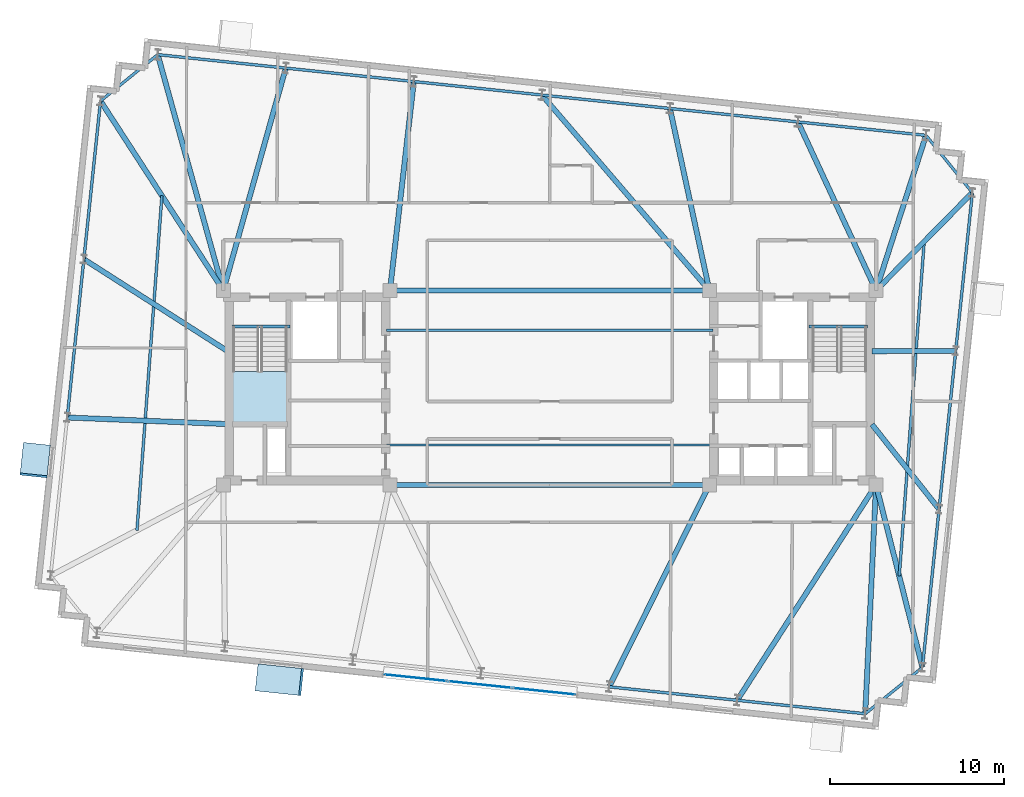
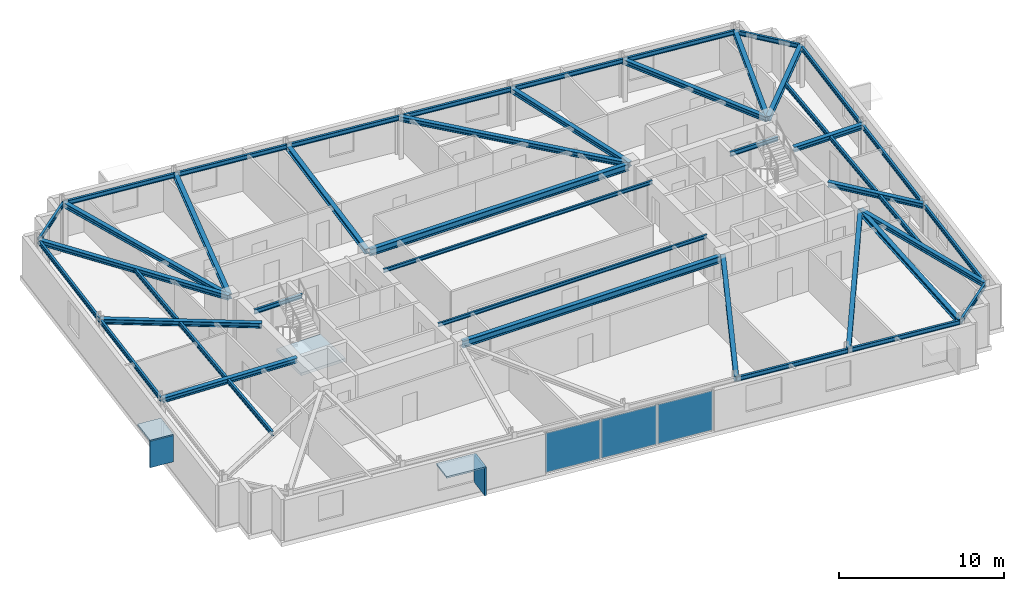
# One storey, part 6 of 13: 41 beams, 7 plates, 1 slab, 2 elements without a shape of their own.
"""IFC4 building model written with IfcOpenShell, lengths in metres."""

from ifc_helpers import new_model, si_unit, direction, frame, origin, origin_2d, place, context, subcontext, project, spatial, polyline, rectangle, i_section, outline, extrude, material, layer, layer_set, material_profile, profile_set, type_object, element, aggregate, save


model = new_model("IFC4")

# Units and contexts
model_context = context("Model", 3, precision=1e-05, world=origin(), true_north=direction((0.0, 1.0)))
body_context = subcontext(model_context, "Body", "Model", "MODEL_VIEW")
ifc_project = project(units=[si_unit("LENGTHUNIT", "METRE"), si_unit("AREAUNIT", "SQUARE_METRE"), si_unit("VOLUMEUNIT", "CUBIC_METRE"), si_unit("PLANEANGLEUNIT", "RADIAN"), si_unit("MASSUNIT", "GRAM", prefix="KILO")], contexts=[model_context])

# Site, building, storey
site_placement = place(None, origin())
site = spatial("IfcSite", under=ifc_project, at=site_placement, CompositionType="ELEMENT")
building_placement = place(site_placement, origin())
building = spatial("IfcBuilding", under=site, at=building_placement, Name="Qobustan Lattice House", CompositionType="ELEMENT")
storey_placement = place(building_placement, frame((0.0, 0.0, 196.39990234375)))
storey = spatial("IfcBuildingStorey", under=building, at=storey_placement, Name="L55", CompositionType="ELEMENT", Elevation=196.39990234375)

# Beams
ifc_material_1 = material(Name="Steel S355", Category="steel")
ifc_material_profile_1 = material_profile(ifc_material_1, i_section(OverallWidth=0.300048828125, OverallDepth=0.5, WebThickness=0.014404296875, FlangeThickness=0.028076171875, FilletRadius=0.027099609375, at=origin_2d()), Name="HEB500")
ifc_profile_set_1 = profile_set([ifc_material_profile_1], Name="Steel S355")
beam_type_1 = type_object("IfcBeamType", Name="BM-CG-HEB500", PredefinedType="USERDEFINED", material=ifc_profile_set_1)
for number, where, z_axis, x_axis, name in (
    (1, (-9.050048828125, -5.60009765625, 2.7900390625), (1.0, 0.0, 0.0), (0.0, 1.0, 0.0), "L55 core spine girder CG-CS"),
    (2, (-9.050048828125, 5.60009765625, 2.7900390625), (1.0, 0.0, 0.0), (0.0, 1.0, 0.0), "L55 core spine girder CG-CN"),
):
    element("IfcBeam", number, at=place(storey_placement, frame(where, z_axis=z_axis, x_axis=x_axis)), inside=storey, type_object=beam_type_1, Name=name, ObjectType="GIRDER", PredefinedType="USERDEFINED", context=body_context, shape_type="SweptSolid", body=[
        extrude(i_section(OverallWidth=0.300048828125, OverallDepth=0.5, WebThickness=0.014404296875, FlangeThickness=0.028076171875, FilletRadius=0.027099609375, at=origin_2d()), origin(), (0.0, 0.0, 1.0), 18.10009765625),
    ])
ifc_material_2 = material(Name="Steel S355", Category="steel")
ifc_material_profile_2 = material_profile(ifc_material_2, i_section(OverallWidth=0.300048828125, OverallDepth=0.360107421875, WebThickness=0.012451171875, FlangeThickness=0.0224609375, FilletRadius=0.027099609375, at=origin_2d()), Name="HEB360")
ifc_profile_set_2 = profile_set([ifc_material_profile_2], Name="Steel S355")
beam_type_2 = type_object("IfcBeamType", Name="BM-FLG-HEB360", PredefinedType="USERDEFINED", material=ifc_profile_set_2)
beam_1_placement = place(storey_placement, frame((3.436279296875, -17.211181640625, 2.860107421875), z_axis=(0.444630337125, 0.895714163843, 0.0), x_axis=(-0.895714163843, 0.444630337125, 0.0)))
element("IfcBeam", 3, at=beam_1_placement, inside=storey, type_object=beam_type_2, Name="L55 primary floor girder RAD-S5", ObjectType="GIRDER", PredefinedType="USERDEFINED", context=body_context, shape_type="SweptSolid", body=[
    extrude(i_section(OverallWidth=0.300048828125, OverallDepth=0.360107421875, WebThickness=0.012451171875, FlangeThickness=0.0224609375, FilletRadius=0.027099609375, at=origin_2d()), origin(), (0.0, 0.0, 1.0), 12.938232421875),
])
beam_2_placement = place(storey_placement, frame((10.814697265625, -17.98779296875, 2.860107421875), z_axis=(0.541810491961, 0.840500678644, 0.0), x_axis=(-0.840500678644, 0.541810491961, 0.0)))
element("IfcBeam", 4, at=beam_2_placement, inside=storey, type_object=beam_type_2, Name="L55 primary floor girder RAD-S6", ObjectType="GIRDER", PredefinedType="USERDEFINED", context=body_context, shape_type="SweptSolid", body=[
    extrude(i_section(OverallWidth=0.300048828125, OverallDepth=0.360107421875, WebThickness=0.012451171875, FlangeThickness=0.0224609375, FilletRadius=0.027099609375, at=origin_2d()), origin(), (0.0, 0.0, 1.0), 14.71337890625),
])
beam_3_placement = place(storey_placement, frame((18.178466796875, -18.759033203125, 2.860107421875), z_axis=(0.047180517312, 0.998886379318, 0.0), x_axis=(-0.998886379318, 0.047180517312, 0.0)))
element("IfcBeam", 5, at=beam_3_placement, inside=storey, type_object=beam_type_2, Name="L55 primary floor girder RAD-S7E", ObjectType="GIRDER", PredefinedType="USERDEFINED", context=body_context, shape_type="SweptSolid", body=[
    extrude(i_section(OverallWidth=0.300048828125, OverallDepth=0.360107421875, WebThickness=0.012451171875, FlangeThickness=0.0224609375, FilletRadius=0.027099609375, at=origin_2d()), origin(), (0.0, 0.0, 1.0), 13.148681640625),
])
beam_4_placement = place(storey_placement, frame((-22.570556640625, 19.159912109375, 2.860107421875), z_axis=(0.267904661715, -0.963445427739, 0.0), x_axis=(0.963445427739, 0.267904661715, 0.0)))
element("IfcBeam", 6, at=beam_4_placement, inside=storey, type_object=beam_type_2, Name="L55 primary floor girder RAD-N7W", ObjectType="GIRDER", PredefinedType="USERDEFINED", context=body_context, shape_type="SweptSolid", body=[
    extrude(i_section(OverallWidth=0.300048828125, OverallDepth=0.360107421875, WebThickness=0.012451171875, FlangeThickness=0.0224609375, FilletRadius=0.027099609375, at=origin_2d()), origin(), (0.0, 0.0, 1.0), 14.049560546875),
])
beam_5_placement = place(storey_placement, frame((-15.2080078125, 18.384521484375, 2.860107421875), z_axis=(-0.270487929903, -0.962723366174, 0.0), x_axis=(0.962723366174, -0.270487929903, 0.0)))
element("IfcBeam", 7, at=beam_5_placement, inside=storey, type_object=beam_type_2, Name="L55 primary floor girder RAD-N6", ObjectType="GIRDER", PredefinedType="USERDEFINED", context=body_context, shape_type="SweptSolid", body=[
    extrude(i_section(OverallWidth=0.300048828125, OverallDepth=0.360107421875, WebThickness=0.012451171875, FlangeThickness=0.0224609375, FilletRadius=0.027099609375, at=origin_2d()), origin(), (0.0, 0.0, 1.0), 13.254638671875),
])
beam_6_placement = place(storey_placement, frame((-7.827880859375, 17.608642578125, 2.860107421875), z_axis=(-0.11353003651, -0.993534564477, 0.0), x_axis=(0.993534564477, -0.11353003651, 0.0)))
element("IfcBeam", 8, at=beam_6_placement, inside=storey, type_object=beam_type_2, Name="L55 primary floor girder RAD-N5", ObjectType="GIRDER", PredefinedType="USERDEFINED", context=body_context, shape_type="SweptSolid", body=[
    extrude(i_section(OverallWidth=0.300048828125, OverallDepth=0.360107421875, WebThickness=0.012451171875, FlangeThickness=0.0224609375, FilletRadius=0.027099609375, at=origin_2d()), origin(), (0.0, 0.0, 1.0), 12.061767578125),
])
beam_7_placement = place(storey_placement, frame((-0.432861328125, 16.839111328125, 2.860107421875), z_axis=(0.650757358368, -0.759285756833, 0.0), x_axis=(0.759285756833, 0.650757358368, 0.0)))
element("IfcBeam", 9, at=beam_7_placement, inside=storey, type_object=beam_type_2, Name="L55 primary floor girder RAD-N4", ObjectType="GIRDER", PredefinedType="USERDEFINED", context=body_context, shape_type="SweptSolid", body=[
    extrude(i_section(OverallWidth=0.300048828125, OverallDepth=0.360107421875, WebThickness=0.012451171875, FlangeThickness=0.0224609375, FilletRadius=0.027099609375, at=origin_2d()), origin(), (0.0, 0.0, 1.0), 14.77734375),
])
beam_8_placement = place(storey_placement, frame((6.93212890625, 16.05859375, 2.860107421875), z_axis=(0.211908420044, -0.977289527988, 0.0), x_axis=(0.977289527988, 0.211908420044, 0.0)))
element("IfcBeam", 10, at=beam_8_placement, inside=storey, type_object=beam_type_2, Name="L55 primary floor girder RAD-N3", ObjectType="GIRDER", PredefinedType="USERDEFINED", context=body_context, shape_type="SweptSolid", body=[
    extrude(i_section(OverallWidth=0.300048828125, OverallDepth=0.360107421875, WebThickness=0.012451171875, FlangeThickness=0.0224609375, FilletRadius=0.027099609375, at=origin_2d()), origin(), (0.0, 0.0, 1.0), 10.676513671875),
])
beam_9_placement = place(storey_placement, frame((14.3134765625, 15.284912109375, 2.860107421875), z_axis=(0.420345924661, -0.907363931188, 0.0), x_axis=(0.907363931188, 0.420345924661, 0.0)))
element("IfcBeam", 11, at=beam_9_placement, inside=storey, type_object=beam_type_2, Name="L55 primary floor girder RAD-N2", ObjectType="GIRDER", PredefinedType="USERDEFINED", context=body_context, shape_type="SweptSolid", body=[
    extrude(i_section(OverallWidth=0.300048828125, OverallDepth=0.360107421875, WebThickness=0.012451171875, FlangeThickness=0.0224609375, FilletRadius=0.027099609375, at=origin_2d()), origin(), (0.0, 0.0, 1.0), 10.6484375),
])
beam_10_placement = place(storey_placement, frame((21.67138671875, 14.5087890625, 2.860107421875), z_axis=(-0.306773532579, -0.951782538035, 0.0), x_axis=(0.951782538035, -0.306773532579, 0.0)))
element("IfcBeam", 12, at=beam_10_placement, inside=storey, type_object=beam_type_2, Name="L55 primary floor girder RAD-N1E", ObjectType="GIRDER", PredefinedType="USERDEFINED", context=body_context, shape_type="SweptSolid", body=[
    extrude(i_section(OverallWidth=0.300048828125, OverallDepth=0.360107421875, WebThickness=0.012451171875, FlangeThickness=0.0224609375, FilletRadius=0.027099609375, at=origin_2d()), origin(), (0.0, 0.0, 1.0), 9.335205078125),
])
beam_11_placement = place(storey_placement, frame((-25.86083984375, 16.492919921875, 2.860107421875), z_axis=(0.543926170046, -0.839133077371, 0.0), x_axis=(0.839133077371, 0.543926170046, 0.0)))
element("IfcBeam", 13, at=beam_11_placement, inside=storey, type_object=beam_type_2, Name="L55 primary floor girder RAD-W1", ObjectType="GIRDER", PredefinedType="USERDEFINED", context=body_context, shape_type="SweptSolid", body=[
    extrude(i_section(OverallWidth=0.300048828125, OverallDepth=0.360107421875, WebThickness=0.012451171875, FlangeThickness=0.0224609375, FilletRadius=0.027099609375, at=origin_2d()), origin(), (0.0, 0.0, 1.0), 12.9560546875),
])
beam_12_placement = place(storey_placement, frame((-26.8115234375, 7.384033203125, 2.860107421875), z_axis=(0.842429105495, -0.538807203195, 0.0), x_axis=(0.538807203195, 0.842429105495, 0.0)))
element("IfcBeam", 14, at=beam_12_placement, inside=storey, type_object=beam_type_2, Name="L55 primary floor girder RAD-W2", ObjectType="GIRDER", PredefinedType="USERDEFINED", context=body_context, shape_type="SweptSolid", body=[
    extrude(i_section(OverallWidth=0.300048828125, OverallDepth=0.360107421875, WebThickness=0.012451171875, FlangeThickness=0.0224609375, FilletRadius=0.027099609375, at=origin_2d()), origin(), (0.0, 0.0, 1.0), 9.78173828125),
])
beam_13_placement = place(storey_placement, frame((-27.765869140625, -1.719970703125, 2.860107421875), z_axis=(0.999150190925, -0.041217665795, 0.0), x_axis=(0.041217665795, 0.999150190925, 0.0)))
element("IfcBeam", 15, at=beam_13_placement, inside=storey, type_object=beam_type_2, Name="L55 primary floor girder RAD-W3", ObjectType="GIRDER", PredefinedType="USERDEFINED", context=body_context, shape_type="SweptSolid", body=[
    extrude(i_section(OverallWidth=0.300048828125, OverallDepth=0.360107421875, WebThickness=0.012451171875, FlangeThickness=0.0224609375, FilletRadius=0.027099609375, at=origin_2d()), origin(), (0.0, 0.0, 1.0), 9.19873046875),
])
beam_14_placement = place(storey_placement, frame((24.331298828125, 11.217529296875, 2.860107421875), z_axis=(-0.701633616284, -0.712537906712, 0.0), x_axis=(0.712537906712, -0.701633616284, 0.0)))
element("IfcBeam", 16, at=beam_14_placement, inside=storey, type_object=beam_type_2, Name="L55 primary floor girder RAD-E4", ObjectType="GIRDER", PredefinedType="USERDEFINED", context=body_context, shape_type="SweptSolid", body=[
    extrude(i_section(OverallWidth=0.300048828125, OverallDepth=0.360107421875, WebThickness=0.012451171875, FlangeThickness=0.0224609375, FilletRadius=0.027099609375, at=origin_2d()), origin(), (0.0, 0.0, 1.0), 7.858642578125),
])
beam_15_placement = place(storey_placement, frame((23.36572265625, 2.118896484375, 2.860107421875), z_axis=(-0.999992301331, -0.003923936564, 0.0), x_axis=(0.003923936564, -0.999992301331, 0.0)))
element("IfcBeam", 17, at=beam_15_placement, inside=storey, type_object=beam_type_2, Name="L55 primary floor girder RAD-E3", ObjectType="GIRDER", PredefinedType="USERDEFINED", context=body_context, shape_type="SweptSolid", body=[
    extrude(i_section(OverallWidth=0.300048828125, OverallDepth=0.360107421875, WebThickness=0.012451171875, FlangeThickness=0.0224609375, FilletRadius=0.027099609375, at=origin_2d()), origin(), (0.0, 0.0, 1.0), 4.790771484375),
])
beam_16_placement = place(storey_placement, frame((22.4169921875, -6.97802734375, 2.860107421875), z_axis=(-0.621231320857, 0.783627236629, 0.0), x_axis=(-0.783627236629, -0.621231320857, 0.0)))
element("IfcBeam", 18, at=beam_16_placement, inside=storey, type_object=beam_type_2, Name="L55 primary floor girder RAD-E2", ObjectType="GIRDER", PredefinedType="USERDEFINED", context=body_context, shape_type="SweptSolid", body=[
    extrude(i_section(OverallWidth=0.300048828125, OverallDepth=0.360107421875, WebThickness=0.012451171875, FlangeThickness=0.0224609375, FilletRadius=0.027099609375, at=origin_2d()), origin(), (0.0, 0.0, 1.0), 6.199951171875),
])
beam_17_placement = place(storey_placement, frame((21.46826171875, -16.08984375, 2.860107421875), z_axis=(-0.246517911643, 0.969138235361, 0.0), x_axis=(-0.969138235361, -0.246517911643, 0.0)))
element("IfcBeam", 19, at=beam_17_placement, inside=storey, type_object=beam_type_2, Name="L55 primary floor girder RAD-E1", ObjectType="GIRDER", PredefinedType="USERDEFINED", context=body_context, shape_type="SweptSolid", body=[
    extrude(i_section(OverallWidth=0.300048828125, OverallDepth=0.360107421875, WebThickness=0.012451171875, FlangeThickness=0.0224609375, FilletRadius=0.027099609375, at=origin_2d()), origin(), (0.0, 0.0, 1.0), 10.798828125),
])
ifc_material_3 = material(Name="Steel S355", Category="steel")
ifc_material_profile_3 = material_profile(ifc_material_3, i_section(OverallWidth=0.135009765625, OverallDepth=0.27001953125, WebThickness=0.006591796875, FlangeThickness=0.01025390625, FilletRadius=0.014892578125, at=origin_2d()), Name="IPE270")
ifc_profile_set_3 = profile_set([ifc_material_profile_3], Name="Steel S355")
beam_type_3 = type_object("IfcBeamType", Name="BM-JST-IPE270", PredefinedType="JOIST", material=ifc_profile_set_3)
for number, where, z_axis, x_axis, name in (
    (20, (-9.39990234375, -3.300048828125, 2.905029296875), (1.0, 0.0, 0.0), (0.0, 1.0, 0.0), "L55 central span floor joist 1"),
    (21, (-9.39990234375, 3.300048828125, 2.905029296875), (1.0, 0.0, 0.0), (0.0, 1.0, 0.0), "L55 central span floor joist 2"),
):
    element("IfcBeam", number, at=place(storey_placement, frame(where, z_axis=z_axis, x_axis=x_axis)), inside=storey, type_object=beam_type_3, Name=name, PredefinedType="JOIST", context=body_context, shape_type="SweptSolid", body=[
        extrude(i_section(OverallWidth=0.135009765625, OverallDepth=0.27001953125, WebThickness=0.006591796875, FlangeThickness=0.01025390625, FilletRadius=0.014892578125, at=origin_2d()), origin(), (0.0, 0.0, 1.0), 18.7998046875),
    ])
ifc_material_4 = material(Name="Steel S355", Category="steel")
ifc_material_profile_4 = material_profile(ifc_material_4, i_section(OverallWidth=0.159912109375, OverallDepth=0.330078125, WebThickness=0.007568359375, FlangeThickness=0.011474609375, FilletRadius=0.01806640625, at=origin_2d()), Name="IPE330")
ifc_profile_set_4 = profile_set([ifc_material_profile_4], Name="Steel S355")
beam_type_4 = type_object("IfcBeamType", Name="BM-SEC-IPE330", PredefinedType="BEAM", material=ifc_profile_set_4)
beam_18_placement = place(storey_placement, frame((-22.337158203125, 11.056884765625, 2.875), z_axis=(-0.074361616657, -0.997231342251, 0.0), x_axis=(0.997231342251, -0.074361616657, 0.0)))
element("IfcBeam", 22, at=beam_18_placement, inside=storey, type_object=beam_type_4, Name="L55 west wing secondary beam", PredefinedType="BEAM", context=body_context, shape_type="SweptSolid", body=[
    extrude(i_section(OverallWidth=0.159912109375, OverallDepth=0.330078125, WebThickness=0.007568359375, FlangeThickness=0.011474609375, FilletRadius=0.01806640625, at=origin_2d()), origin(), (0.0, 0.0, 1.0), 19.327880859375),
])
beam_19_placement = place(storey_placement, frame((21.574462890625, 8.417724609375, 2.875), z_axis=(-0.074360679971, -0.997231412098, 0.0), x_axis=(0.997231412098, -0.074360679971, 0.0)))
element("IfcBeam", 23, at=beam_19_placement, inside=storey, type_object=beam_type_4, Name="L55 east wing secondary beam", PredefinedType="BEAM", context=body_context, shape_type="SweptSolid", body=[
    extrude(i_section(OverallWidth=0.159912109375, OverallDepth=0.330078125, WebThickness=0.007568359375, FlangeThickness=0.011474609375, FilletRadius=0.01806640625, at=origin_2d()), origin(), (0.0, 0.0, 1.0), 19.328125),
])
ifc_material_5 = material(Name="Steel S355", Category="steel")
ifc_material_profile_5 = material_profile(ifc_material_5, i_section(OverallWidth=0.159912109375, OverallDepth=0.330078125, WebThickness=0.007568359375, FlangeThickness=0.011474609375, FilletRadius=0.01806640625, at=origin_2d()), Name="IPE330")
ifc_profile_set_5 = profile_set([ifc_material_profile_5], Name="Steel S355")
beam_type_5 = type_object("IfcBeamType", Name="BM-SPD-IPE330", PredefinedType="SPANDREL", material=ifc_profile_set_5)
for number, where, z_axis, x_axis, name in (
    (24, (-18.300048828125, 3.52001953125, 2.875), (1.0, 0.0, 0.0), (0.0, 1.0, 0.0), "L55 west stair landing trimmer beam"),
    (25, (14.949951171875, 3.52001953125, 2.875), (1.0, 0.0, 0.0), (0.0, 1.0, 0.0), "L55 east stair landing trimmer beam"),
):
    element("IfcBeam", number, at=place(storey_placement, frame(where, z_axis=z_axis, x_axis=x_axis)), inside=storey, type_object=beam_type_5, Name=name, PredefinedType="SPANDREL", context=body_context, shape_type="SweptSolid", body=[
        extrude(i_section(OverallWidth=0.159912109375, OverallDepth=0.330078125, WebThickness=0.007568359375, FlangeThickness=0.011474609375, FilletRadius=0.01806640625, at=origin_2d()), origin(), (0.0, 0.0, 1.0), 3.35009765625),
    ])
for number, where, z_axis, x_axis, name in (
    (26, (3.4501953125, -17.236083984375, 2.875), (0.994521784746, -0.104529515765, 0.0), (0.104529515765, 0.994521784746, 0.0), "L55 perimeter spandrel S5-S6"),
    (27, (10.826171875, -18.01123046875, 2.875), (0.99451833889, -0.104562295361, 0.0), (0.104562295361, 0.99451833889, 0.0), "L55 perimeter spandrel S6-S7"),
):
    element("IfcBeam", number, at=place(storey_placement, frame(where, z_axis=z_axis, x_axis=x_axis)), inside=storey, type_object=beam_type_5, Name=name, PredefinedType="SPANDREL", context=body_context, shape_type="SweptSolid", body=[
        extrude(i_section(OverallWidth=0.159912109375, OverallDepth=0.330078125, WebThickness=0.007568359375, FlangeThickness=0.011474609375, FilletRadius=0.01806640625, at=origin_2d()), origin(), (0.0, 0.0, 1.0), 7.366455078125),
    ])
beam_20_placement = place(storey_placement, frame((18.19677734375, -18.768310546875, 2.875), z_axis=(0.777128239225, 0.629342275554, 0.0), x_axis=(-0.629342275554, 0.777128239225, 0.0)))
element("IfcBeam", 28, at=beam_20_placement, inside=storey, type_object=beam_type_5, Name="L55 perimeter spandrel S7-E1", PredefinedType="SPANDREL", context=body_context, shape_type="SweptSolid", body=[
    extrude(i_section(OverallWidth=0.159912109375, OverallDepth=0.330078125, WebThickness=0.007568359375, FlangeThickness=0.011474609375, FilletRadius=0.01806640625, at=origin_2d()), origin(), (0.0, 0.0, 1.0), 4.192626953125),
])
for number, where, z_axis, x_axis, name in (
    (29, (21.47705078125, -16.089111328125, 2.875), (0.10452168293, 0.994522607987, 0.0), (-0.994522607987, 0.10452168293, 0.0), "L55 perimeter spandrel E1-E2"),
    (30, (22.435302734375, -6.97265625, 2.875), (0.10452168293, 0.994522607987, 0.0), (-0.994522607987, 0.10452168293, 0.0), "L55 perimeter spandrel E2-E3"),
    (31, (23.393310546875, 2.143798828125, 2.875), (0.10452168293, 0.994522607987, 0.0), (-0.994522607987, 0.10452168293, 0.0), "L55 perimeter spandrel E3-E4"),
):
    element("IfcBeam", number, at=place(storey_placement, frame(where, z_axis=z_axis, x_axis=x_axis)), inside=storey, type_object=beam_type_5, Name=name, PredefinedType="SPANDREL", context=body_context, shape_type="SweptSolid", body=[
        extrude(i_section(OverallWidth=0.159912109375, OverallDepth=0.330078125, WebThickness=0.007568359375, FlangeThickness=0.011474609375, FilletRadius=0.01806640625, at=origin_2d()), origin(), (0.0, 0.0, 1.0), 9.11669921875),
    ])
beam_21_placement = place(storey_placement, frame((24.333251953125, 11.254638671875, 2.875), z_axis=(-0.629313797654, 0.777151300637, 0.0), x_axis=(-0.777151300637, -0.629313797654, 0.0)))
element("IfcBeam", 32, at=beam_21_placement, inside=storey, type_object=beam_type_5, Name="L55 perimeter spandrel E4-N1", PredefinedType="SPANDREL", context=body_context, shape_type="SweptSolid", body=[
    extrude(i_section(OverallWidth=0.159912109375, OverallDepth=0.330078125, WebThickness=0.007568359375, FlangeThickness=0.011474609375, FilletRadius=0.01806640625, at=origin_2d()), origin(), (0.0, 0.0, 1.0), 4.19287109375),
])
for number, where, z_axis, x_axis, name in (
    (33, (21.654052734375, 14.53515625, 2.875), (-0.994521784746, 0.104529515765, 0.0), (-0.104529515765, -0.994521784746, 0.0), "L55 perimeter spandrel N1-N2"),
    (34, (14.278076171875, 15.310302734375, 2.875), (-0.994521784746, 0.104529515765, 0.0), (-0.104529515765, -0.994521784746, 0.0), "L55 perimeter spandrel N2-N3"),
):
    element("IfcBeam", number, at=place(storey_placement, frame(where, z_axis=z_axis, x_axis=x_axis)), inside=storey, type_object=beam_type_5, Name=name, PredefinedType="SPANDREL", context=body_context, shape_type="SweptSolid", body=[
        extrude(i_section(OverallWidth=0.159912109375, OverallDepth=0.330078125, WebThickness=0.007568359375, FlangeThickness=0.011474609375, FilletRadius=0.01806640625, at=origin_2d()), origin(), (0.0, 0.0, 1.0), 7.366455078125),
    ])
beam_22_placement = place(storey_placement, frame((6.902099609375, 16.085693359375, 2.875), z_axis=(-0.99452214685, 0.104526070551, 0.0), x_axis=(-0.104526070551, -0.99452214685, 0.0)))
element("IfcBeam", 35, at=beam_22_placement, inside=storey, type_object=beam_type_5, Name="L55 perimeter spandrel N3-N4", PredefinedType="SPANDREL", context=body_context, shape_type="SweptSolid", body=[
    extrude(i_section(OverallWidth=0.159912109375, OverallDepth=0.330078125, WebThickness=0.007568359375, FlangeThickness=0.011474609375, FilletRadius=0.01806640625, at=origin_2d()), origin(), (0.0, 0.0, 1.0), 7.36669921875),
])
for number, where, z_axis, x_axis, name in (
    (36, (-0.47412109375, 16.86083984375, 2.875), (-0.994521784746, 0.104529515765, 0.0), (-0.104529515765, -0.994521784746, 0.0), "L55 perimeter spandrel N4-N5"),
    (37, (-7.85009765625, 17.635986328125, 2.875), (-0.994521784746, 0.104529515765, 0.0), (-0.104529515765, -0.994521784746, 0.0), "L55 perimeter spandrel N5-N6"),
):
    element("IfcBeam", number, at=place(storey_placement, frame(where, z_axis=z_axis, x_axis=x_axis)), inside=storey, type_object=beam_type_5, Name=name, PredefinedType="SPANDREL", context=body_context, shape_type="SweptSolid", body=[
        extrude(i_section(OverallWidth=0.159912109375, OverallDepth=0.330078125, WebThickness=0.007568359375, FlangeThickness=0.011474609375, FilletRadius=0.01806640625, at=origin_2d()), origin(), (0.0, 0.0, 1.0), 7.366455078125),
    ])
beam_23_placement = place(storey_placement, frame((-15.22607421875, 18.411376953125, 2.875), z_axis=(-0.99452214685, 0.104526070551, 0.0), x_axis=(-0.104526070551, -0.99452214685, 0.0)))
element("IfcBeam", 38, at=beam_23_placement, inside=storey, type_object=beam_type_5, Name="L55 perimeter spandrel N6-N7", PredefinedType="SPANDREL", context=body_context, shape_type="SweptSolid", body=[
    extrude(i_section(OverallWidth=0.159912109375, OverallDepth=0.330078125, WebThickness=0.007568359375, FlangeThickness=0.011474609375, FilletRadius=0.01806640625, at=origin_2d()), origin(), (0.0, 0.0, 1.0), 7.36669921875),
])
beam_24_placement = place(storey_placement, frame((-22.5966796875, 19.168212890625, 2.875), z_axis=(-0.777156718239, -0.629307107299, 0.0), x_axis=(0.629307107299, -0.777156718239, 0.0)))
element("IfcBeam", 39, at=beam_24_placement, inside=storey, type_object=beam_type_5, Name="L55 perimeter spandrel N7-W1", PredefinedType="SPANDREL", context=body_context, shape_type="SweptSolid", body=[
    extrude(i_section(OverallWidth=0.159912109375, OverallDepth=0.330078125, WebThickness=0.007568359375, FlangeThickness=0.011474609375, FilletRadius=0.01806640625, at=origin_2d()), origin(), (0.0, 0.0, 1.0), 4.192626953125),
])
beam_25_placement = place(storey_placement, frame((-25.876953125, 16.489013671875, 2.875), z_axis=(-0.104550954592, -0.994519531178, 0.0), x_axis=(0.994519531178, -0.104550954592, 0.0)))
element("IfcBeam", 40, at=beam_25_placement, inside=storey, type_object=beam_type_5, Name="L55 perimeter spandrel W1-W2", PredefinedType="SPANDREL", context=body_context, shape_type="SweptSolid", body=[
    extrude(i_section(OverallWidth=0.159912109375, OverallDepth=0.330078125, WebThickness=0.007568359375, FlangeThickness=0.011474609375, FilletRadius=0.01806640625, at=origin_2d()), origin(), (0.0, 0.0, 1.0), 9.116455078125),
])
beam_26_placement = place(storey_placement, frame((-26.835205078125, 7.372802734375, 2.875), z_axis=(-0.104518899262, -0.994522900539, 0.0), x_axis=(0.994522900539, -0.104518899262, 0.0)))
element("IfcBeam", 41, at=beam_26_placement, inside=storey, type_object=beam_type_5, Name="L55 perimeter spandrel W2-W3", PredefinedType="SPANDREL", context=body_context, shape_type="SweptSolid", body=[
    extrude(i_section(OverallWidth=0.159912109375, OverallDepth=0.330078125, WebThickness=0.007568359375, FlangeThickness=0.011474609375, FilletRadius=0.01806640625, at=origin_2d()), origin(), (0.0, 0.0, 1.0), 9.116943359375),
])

# Curtain wall, plates
ifc_material_6 = material(Name="Anodised aluminium and low-E glazing", Category="aluminium")
ifc_layer_1 = layer(ifc_material_6, 0.219970703125)
ifc_layer_set_1 = layer_set([ifc_layer_1], Name="Anodised aluminium and low-E glazing")
curtain_wall_type = type_object("IfcCurtainWallType", Name="CW-IWN-01", PredefinedType="USERDEFINED", material=ifc_layer_set_1)
curtain_wall_placement = place(storey_placement, origin())
curtain_wall = element("IfcCurtainWall", 42, at=curtain_wall_placement, inside=storey, type_object=curtain_wall_type, Name="L55 IWAN-4 walnut-lined iwan curtain wall", ObjectType="CURTAIN WALL", PredefinedType="USERDEFINED")
ifc_material_7 = material(Name="Clear low-E laminated glass", Category="glass")
ifc_layer_2 = layer(ifc_material_7, 0.031982421875)
ifc_layer_set_2 = layer_set([ifc_layer_2], Name="Clear low-E laminated glass")
plate_type_1 = type_object("IfcPlateType", Name="CWP-VISION-32", PredefinedType="CURTAIN_PANEL", material=ifc_layer_set_2)
plate_1_placement = place(storey_placement, frame((-0.325927734375, -17.492919921875, 0.06494140625), z_axis=(0.0, 0.0, 1.0), x_axis=(-0.994521097429, 0.104536054872, 0.0)))
plate_1 = element("IfcPlate", 43, at=plate_1_placement, type_object=plate_type_1, Name="CW-IW panel 1.1", PredefinedType="CURTAIN_PANEL", context=body_context, shape_type="SweptSolid", body=[
    extrude(rectangle(XDim=3.61328125, YDim=0.031982421875, at=origin_2d()), origin(), (0.0, 0.0, 1.0), 2.909912109375),
])
plate_2_placement = place(storey_placement, frame((-4.018798828125, -17.104736328125, 0.06494140625), z_axis=(0.0, 0.0, 1.0), x_axis=(-0.994521097429, 0.104536054872, 0.0)))
plate_2 = element("IfcPlate", 44, at=plate_2_placement, type_object=plate_type_1, Name="CW-IW panel 2.1", PredefinedType="CURTAIN_PANEL", context=body_context, shape_type="SweptSolid", body=[
    extrude(rectangle(XDim=3.6533203125, YDim=0.031982421875, at=origin_2d()), origin(), (0.0, 0.0, 1.0), 2.909912109375),
])
plate_3_placement = place(storey_placement, frame((-7.711669921875, -16.716552734375, 0.06494140625), z_axis=(0.0, 0.0, 1.0), x_axis=(-0.994521097429, 0.104536054872, 0.0)))
plate_3 = element("IfcPlate", 45, at=plate_3_placement, type_object=plate_type_1, Name="CW-IW panel 3.1", PredefinedType="CURTAIN_PANEL", context=body_context, shape_type="SweptSolid", body=[
    extrude(rectangle(XDim=3.61328125, YDim=0.031982421875, at=origin_2d()), origin(), (0.0, 0.0, 1.0), 2.909912109375),
])
aggregate(curtain_wall, [plate_1, plate_2, plate_3])

# Plates
ifc_material_8 = material(Name="Qobustan limestone GFRC", Category="masonry")
ifc_layer_3 = layer(ifc_material_8, 0.1201171875)
ifc_layer_set_3 = layer_set([ifc_layer_3], Name="Qobustan limestone GFRC")
plate_type_2 = type_object("IfcPlateType", Name="SHD-HOOD-BROW", PredefinedType="USERDEFINED", material=ifc_layer_set_3)
plate_4_placement = place(storey_placement, frame((-29.6376953125, -4.176025390625, 2.699951171875), z_axis=(0.0, 0.0, 1.0), x_axis=(0.104528463268, 0.994521895368, 0.0)))
element("IfcPlate", 46, at=plate_4_placement, inside=storey, type_object=plate_type_2, Name="L55 splayed Qobustan stone hood brow", ObjectType="SUNSHADE", PredefinedType="USERDEFINED", context=body_context, shape_type="SweptSolid", body=[
    extrude(rectangle(XDim=1.889892578125, YDim=1.56005859375, at=origin_2d()), origin(), (0.0, 0.0, 1.0), 0.1201171875),
])
plate_5_placement = place(storey_placement, frame((-29.730224609375, -5.05615234375, 0.7900390625), z_axis=(0.0, 0.0, 1.0), x_axis=(0.104528463268, 0.994521895368, 0.0)))
element("IfcPlate", 47, at=plate_5_placement, inside=storey, type_object=plate_type_2, Name="L55 splayed Qobustan stone hood cheek", ObjectType="SUNSHADE", PredefinedType="USERDEFINED", context=body_context, shape_type="SweptSolid", body=[
    extrude(rectangle(XDim=0.1201171875, YDim=1.56005859375, at=origin_2d()), origin(), (0.0, 0.0, 1.0), 1.969970703125),
])
plate_6_placement = place(storey_placement, frame((-15.569580078125, -16.82568359375, 2.800048828125), z_axis=(0.0, 0.0, 1.0), x_axis=(-0.994521895368, 0.104528463268, 0.0)))
element("IfcPlate", 48, at=plate_6_placement, inside=storey, type_object=plate_type_2, Name="L55 splayed Qobustan stone hood brow", ObjectType="SUNSHADE", PredefinedType="USERDEFINED", context=body_context, shape_type="SweptSolid", body=[
    extrude(rectangle(XDim=2.639892578125, YDim=1.56005859375, at=origin_2d()), origin(), (0.0, 0.0, 1.0), 0.1201171875),
])
plate_7_placement = place(storey_placement, frame((-14.31640625, -16.95751953125, 0.7900390625), z_axis=(0.0, 0.0, 1.0), x_axis=(-0.994521895368, 0.104528463268, 0.0)))
element("IfcPlate", 49, at=plate_7_placement, inside=storey, type_object=plate_type_2, Name="L55 splayed Qobustan stone hood cheek", ObjectType="SUNSHADE", PredefinedType="USERDEFINED", context=body_context, shape_type="SweptSolid", body=[
    extrude(rectangle(XDim=0.1201171875, YDim=1.56005859375, at=origin_2d()), origin(), (0.0, 0.0, 1.0), 2.070068359375),
])

# Stair, slab
ifc_material_9 = material(Name="Concrete C40/50", Category="concrete")
stair_type = type_object("IfcStairType", Name="STR-CORE-DOGLEG", PredefinedType="HALF_TURN_STAIR", material=ifc_material_9)
stair_placement = place(storey_placement, origin())
stair = element("IfcStair", 50, at=stair_placement, inside=storey, type_object=stair_type, Name="L55 West protected exit stair ST-W1", PredefinedType="HALF_TURN_STAIR")
ifc_material_10 = material(Name="Concrete C40/50", Category="concrete")
ifc_layer_4 = layer(ifc_material_10, 0.199951171875)
ifc_layer_set_4 = layer_set([ifc_layer_4], Name="Concrete C40/50")
slab_type = type_object("IfcSlabType", Name="SLB-LANDING-200", PredefinedType="LANDING", material=ifc_layer_set_4)
slab_placement = place(storey_placement, frame((0.0, 0.0, 1.47509765625)))
slab = element("IfcSlab", 51, at=slab_placement, type_object=slab_type, Name="ST-W1 landing 1", PredefinedType="LANDING", context=body_context, shape_type="SweptSolid", body=[
    extrude(outline(polyline([(-18.25, 0.93505859375), (-18.25, -2.050048828125), (-15.1298828125, -2.050048828125), (-15.1298828125, 0.93505859375), (-18.25, 0.93505859375)])), origin(), (0.0, 0.0, 1.0), 0.199951171875),
])
aggregate(stair, [slab])

save(model, "model.ifc")
